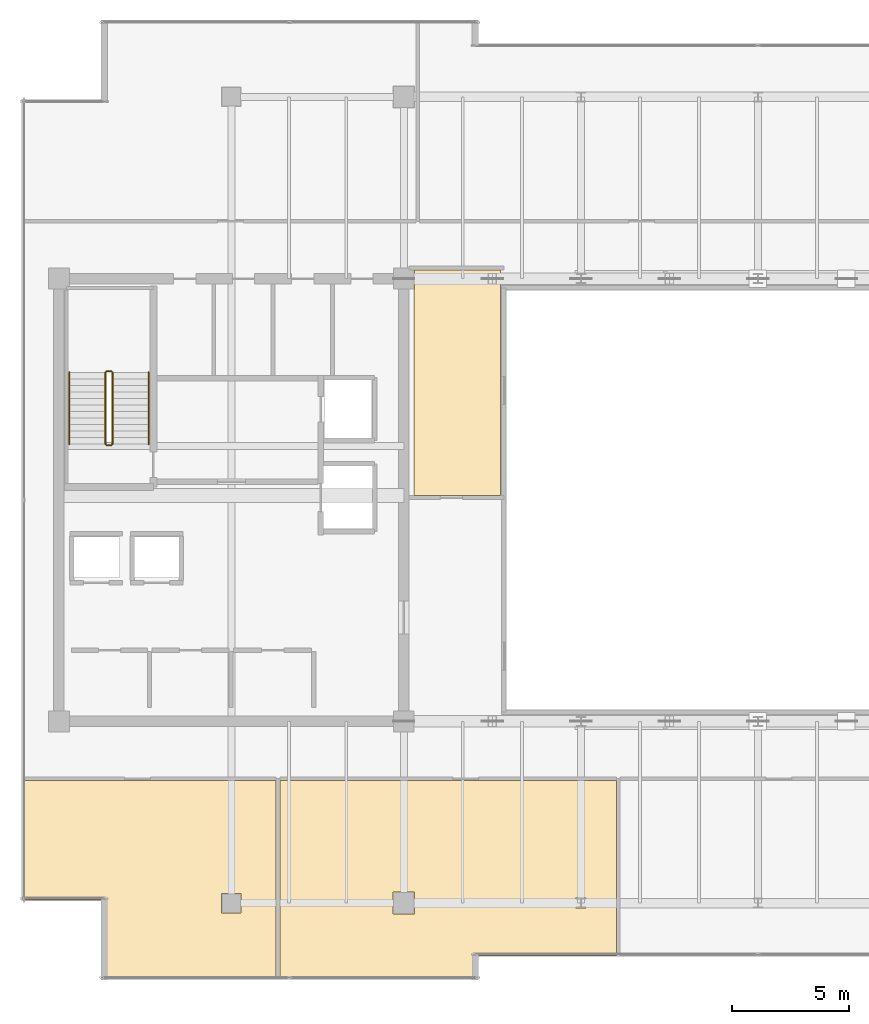
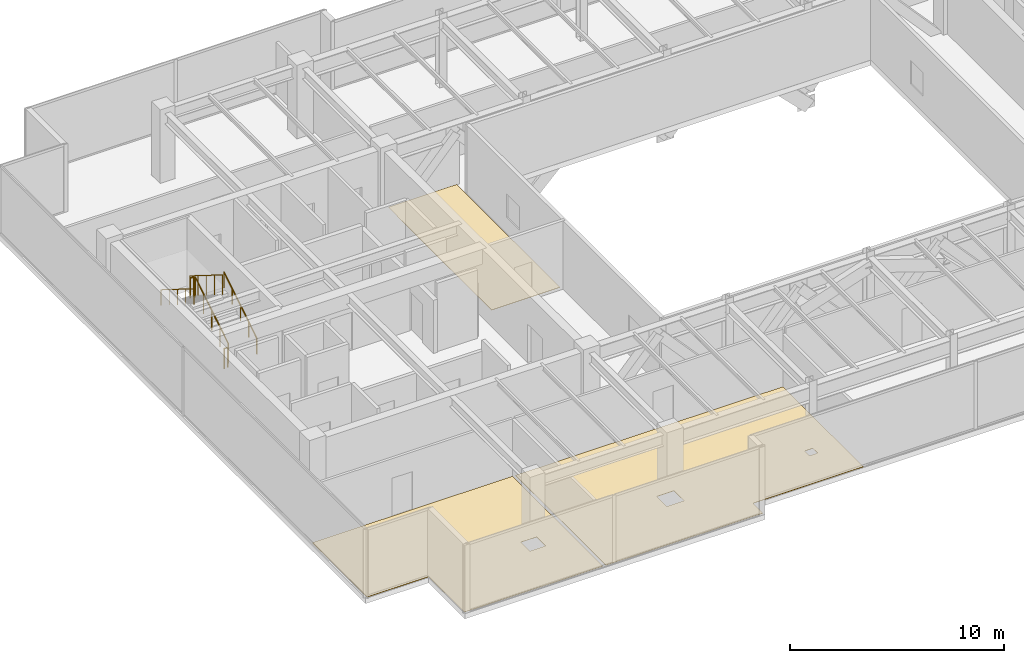
# One storey, part 29 of 32: 6 railings, 3 coverings.
"""IFC4 building model written with IfcOpenShell, lengths in metres."""

from ifc_helpers import new_model, si_unit, direction, frame, origin, origin_2d, place, context, subcontext, project, spatial, polyline, circle, outline, extrude, source, transform, mapped, material, layer, layer_set, type_object, type_shapes, element, save


model = new_model("IFC4")

# Units and contexts
model_context = context("Model", 3, precision=1e-05, world=origin(), true_north=direction((0.0, 1.0)))
body_context = subcontext(model_context, "Body", "Model", "MODEL_VIEW")
ifc_project = project(units=[si_unit("LENGTHUNIT", "METRE"), si_unit("AREAUNIT", "SQUARE_METRE"), si_unit("VOLUMEUNIT", "CUBIC_METRE"), si_unit("PLANEANGLEUNIT", "RADIAN"), si_unit("MASSUNIT", "GRAM", prefix="KILO")], contexts=[model_context])

# Site, building, storey
site_placement = place(None, origin())
site = spatial("IfcSite", under=ifc_project, at=site_placement, CompositionType="ELEMENT")
building_placement = place(site_placement, origin())
building = spatial("IfcBuilding", under=site, at=building_placement, Name="Haelvirn Gate Laboratories", CompositionType="ELEMENT")
storey_placement = place(building_placement, frame((0.0, 0.0, 314.39990234375)))
storey = spatial("IfcBuildingStorey", under=building, at=storey_placement, Name="L75", CompositionType="ELEMENT", Elevation=314.39990234375)

# Coverings
ifc_material_1 = material(Name="Seamless chemical-resistant epoxy laboratory flooring")
ifc_layer = layer(ifc_material_1, 0.01806640625, Name="COV-FLR-RESIN")
ifc_layer_set = layer_set([ifc_layer], Name="Seamless chemical-resistant epoxy laboratory flooring")
covering_type = type_object("IfcCoveringType", Name="COV-FLR-RESIN", PredefinedType="FLOORING", material=ifc_layer_set)
covering_1_placement = place(storey_placement, origin())
element("IfcCovering", 1, at=covering_1_placement, inside=storey, type_object=covering_type, Name="L75 Seamless Laboratory Flooring FLR-SP-L75-WATRIUM-POD", PredefinedType="FLOORING", context=body_context, shape_type="SweptSolid", body=[
    extrude(outline(polyline([(22.669921875, 33.330078125), (22.669921875, 34.179931640625), (26.35009765625, 34.179931640625), (26.35009765625, 24.5), (22.64990234375, 24.5), (22.64990234375, 33.330078125), (22.669921875, 33.330078125)])), origin(), (0.0, 0.0, 1.0), 0.01806640625),
])
covering_2_placement = place(storey_placement, origin())
element("IfcCovering", 2, at=covering_2_placement, inside=storey, type_object=covering_type, Name="L75 Seamless Laboratory Flooring FLR-SP-L75-S-01", PredefinedType="FLOORING", context=body_context, shape_type="SweptSolid", body=[
    extrude(outline(polyline([(16.719970703125, 3.81005859375), (9.239990234375, 3.81005859375), (9.239990234375, 7.10009765625), (9.23974609375, 7.10400390625), (9.2392578125, 7.10791015625), (9.23828125, 7.111572265625), (9.237060546875, 7.115234375), (9.2353515625, 7.118896484375), (9.2333984375, 7.122314453125), (9.23095703125, 7.12548828125), (9.228271484375, 7.12841796875), (9.225341796875, 7.130859375), (9.22216796875, 7.13330078125), (9.218994140625, 7.13525390625), (9.21533203125, 7.136962890625), (9.211669921875, 7.13818359375), (9.207763671875, 7.13916015625), (9.203857421875, 7.139892578125), (9.199951171875, 7.139892578125), (5.909912109375, 7.139892578125), (5.909912109375, 12.27001953125), (16.719970703125, 12.27001953125), (16.719970703125, 3.81005859375)]), holes=[polyline([(14.3798828125, 7.419921875), (14.3798828125, 6.580078125), (15.219970703125, 6.580078125), (15.219970703125, 7.419921875), (14.3798828125, 7.419921875)])]), origin(), (0.0, 0.0, 1.0), 0.01806640625),
])
covering_3_placement = place(storey_placement, origin())
element("IfcCovering", 3, at=covering_3_placement, inside=storey, type_object=covering_type, Name="L75 Seamless Laboratory Flooring FLR-SP-L75-S-02", PredefinedType="FLOORING", context=body_context, shape_type="SweptSolid", body=[
    extrude(outline(polyline([(31.320068359375, 4.739990234375), (25.39990234375, 4.739990234375), (25.39599609375, 4.73974609375), (25.39208984375, 4.7392578125), (25.388427734375, 4.73828125), (25.384765625, 4.737060546875), (25.381103515625, 4.7353515625), (25.377685546875, 4.7333984375), (25.37451171875, 4.73095703125), (25.37158203125, 4.728271484375), (25.369140625, 4.725341796875), (25.36669921875, 4.72216796875), (25.36474609375, 4.718994140625), (25.363037109375, 4.71533203125), (25.36181640625, 4.711669921875), (25.36083984375, 4.707763671875), (25.360107421875, 4.703857421875), (25.360107421875, 4.699951171875), (25.360107421875, 3.81005859375), (16.8798828125, 3.81005859375), (16.8798828125, 12.27001953125), (31.320068359375, 12.27001953125), (31.320068359375, 4.739990234375)]), holes=[polyline([(21.72998046875, 6.530029296875), (22.669921875, 6.530029296875), (22.669921875, 7.469970703125), (21.72998046875, 7.469970703125), (21.72998046875, 6.530029296875)]), polyline([(29.580078125, 7.219970703125), (29.580078125, 6.780029296875), (30.02001953125, 6.780029296875), (30.02001953125, 7.219970703125), (29.580078125, 7.219970703125)])]), origin(), (0.0, 0.0, 1.0), 0.01806640625),
])

# Railings
ifc_material_2 = material(Name="Galvanised steel SM355 & stainless top rail", Category="steel")
railing_type_1 = type_object("IfcRailingType", Name="RL-GUARD-1150", PredefinedType="GUARDRAIL", material=ifc_material_2)
shared_shape_1 = source(origin(), body_context, "Body", "SweptSolid", [
    extrude(circle(Radius=0.02392578125, at=origin_2d()), frame((0.0, 0.0, 1.1259765625), z_axis=(-1.0, 0.0, 0.0), x_axis=(0.0, -1.0, 0.0)), (0.0, 0.0, 1.0), 0.199951171875),
    extrude(circle(Radius=0.02099609375, at=origin_2d()), origin(), (0.0, 0.0, 1.0), 1.101806640625),
    extrude(circle(Radius=0.02099609375, at=origin_2d()), frame((-0.199951171875, 0.0, 0.0)), (0.0, 0.0, 1.0), 1.101806640625),
])
for number, where, name in (
    (4, (9.64990234375, 29.830078125, 2.10009765625), "L75 ST1 stair guard 2"),
    (5, (9.64990234375, 26.64990234375, 0.0), "L75 ST1 stair guard 4"),
):
    element("IfcRailing", number, at=place(storey_placement, frame(where)), inside=storey, type_object=railing_type_1, Name=name, PredefinedType="GUARDRAIL", context=body_context, shape_type="MappedRepresentation", body=[
        mapped(shared_shape_1, transform((0.0, 0.0, 0.0), scale=1.0)),
    ])
shared_shape_2 = source(origin(), body_context, "Body", "SweptSolid", [
    extrude(circle(Radius=0.02392578125, at=origin_2d()), frame((0.0, 0.0, 1.1259765625), z_axis=(0.0, 0.847998304005, 0.529998940003), x_axis=(-1.0, 0.0, 0.0)), (0.0, 0.0, 1.0), 3.632080078125),
    extrude(circle(Radius=0.02099609375, at=origin_2d()), origin(), (0.0, 0.0, 1.0), 1.101806640625),
    extrude(circle(Radius=0.02099609375, at=origin_2d()), frame((0.0, 0.77001953125, 0.481201171875)), (0.0, 0.0, 1.0), 1.101806640625),
    extrude(circle(Radius=0.02099609375, at=origin_2d()), frame((0.0, 1.5400390625, 0.96240234375)), (0.0, 0.0, 1.0), 1.101806640625),
    extrude(circle(Radius=0.02099609375, at=origin_2d()), frame((0.0, 2.31005859375, 1.44384765625)), (0.0, 0.0, 1.0), 1.101806640625),
    extrude(circle(Radius=0.02099609375, at=origin_2d()), frame((0.0, 3.080078125, 1.925048828125)), (0.0, 0.0, 1.0), 1.101806640625),
])
railing_1_placement = place(storey_placement, frame((9.699951171875, 26.699951171875, 0.175048828125)))
element("IfcRailing", 6, at=railing_1_placement, inside=storey, type_object=railing_type_1, Name="L75 ST1 stair guard 1", PredefinedType="GUARDRAIL", context=body_context, shape_type="MappedRepresentation", body=[
    mapped(shared_shape_2, transform((0.0, 0.0, 0.0), scale=1.0)),
])
shared_shape_3 = source(origin(), body_context, "Body", "SweptSolid", [
    extrude(circle(Radius=0.02392578125, at=origin_2d()), frame((0.0, 0.0, 1.1259765625), z_axis=(0.0, -0.847998304005, 0.529998940003), x_axis=(1.0, 0.0, 0.0)), (0.0, 0.0, 1.0), 3.632080078125),
    extrude(circle(Radius=0.02099609375, at=origin_2d()), origin(), (0.0, 0.0, 1.0), 1.101806640625),
    extrude(circle(Radius=0.02099609375, at=origin_2d()), frame((0.0, -0.77001953125, 0.481201171875)), (0.0, 0.0, 1.0), 1.101806640625),
    extrude(circle(Radius=0.02099609375, at=origin_2d()), frame((0.0, -1.5400390625, 0.96240234375)), (0.0, 0.0, 1.0), 1.101806640625),
    extrude(circle(Radius=0.02099609375, at=origin_2d()), frame((0.0, -2.31005859375, 1.44384765625)), (0.0, 0.0, 1.0), 1.101806640625),
    extrude(circle(Radius=0.02099609375, at=origin_2d()), frame((0.0, -3.080078125, 1.925048828125)), (0.0, 0.0, 1.0), 1.101806640625),
])
type_shapes(railing_type_1, [shared_shape_1, shared_shape_2, shared_shape_3])
railing_2_placement = place(storey_placement, frame((9.39990234375, 29.780029296875, 2.275146484375)))
element("IfcRailing", 7, at=railing_2_placement, inside=storey, type_object=railing_type_1, Name="L75 ST1 stair guard 3", PredefinedType="GUARDRAIL", context=body_context, shape_type="MappedRepresentation", body=[
    mapped(shared_shape_3, transform((0.0, 0.0, 0.0), scale=1.0)),
])
ifc_material_3 = material(Name="Brushed stainless steel 316L", Category="steel")
railing_type_2 = type_object("IfcRailingType", Name="RL-HAND-920", PredefinedType="HANDRAIL", material=ifc_material_3)
shared_shape_4 = source(origin(), body_context, "Body", "SweptSolid", [
    extrude(circle(Radius=0.02392578125, at=origin_2d()), frame((0.0, 0.0, 0.8759765625), z_axis=(0.0, 0.847998304005, 0.529998940003), x_axis=(-1.0, 0.0, 0.0)), (0.0, 0.0, 1.0), 3.632080078125),
    extrude(circle(Radius=0.02099609375, at=origin_2d()), origin(), (0.0, 0.0, 1.0), 0.851806640625),
    extrude(circle(Radius=0.02099609375, at=origin_2d()), frame((0.0, 0.77001953125, 0.481201171875)), (0.0, 0.0, 1.0), 0.851806640625),
    extrude(circle(Radius=0.02099609375, at=origin_2d()), frame((0.0, 1.5400390625, 0.96240234375)), (0.0, 0.0, 1.0), 0.851806640625),
    extrude(circle(Radius=0.02099609375, at=origin_2d()), frame((0.0, 2.31005859375, 1.44384765625)), (0.0, 0.0, 1.0), 0.851806640625),
    extrude(circle(Radius=0.02099609375, at=origin_2d()), frame((0.0, 3.080078125, 1.925048828125)), (0.0, 0.0, 1.0), 0.851806640625),
])
railing_3_placement = place(storey_placement, frame((11.25, 26.699951171875, 0.175048828125)))
element("IfcRailing", 8, at=railing_3_placement, inside=storey, type_object=railing_type_2, Name="L75 ST1 stair handrail 1", PredefinedType="HANDRAIL", context=body_context, shape_type="MappedRepresentation", body=[
    mapped(shared_shape_4, transform((0.0, 0.0, 0.0), scale=1.0)),
])
shared_shape_5 = source(origin(), body_context, "Body", "SweptSolid", [
    extrude(circle(Radius=0.02392578125, at=origin_2d()), frame((0.0, 0.0, 0.8759765625), z_axis=(0.0, -0.847998304005, 0.529998940003), x_axis=(1.0, 0.0, 0.0)), (0.0, 0.0, 1.0), 3.632080078125),
    extrude(circle(Radius=0.02099609375, at=origin_2d()), origin(), (0.0, 0.0, 1.0), 0.851806640625),
    extrude(circle(Radius=0.02099609375, at=origin_2d()), frame((0.0, -0.77001953125, 0.481201171875)), (0.0, 0.0, 1.0), 0.851806640625),
    extrude(circle(Radius=0.02099609375, at=origin_2d()), frame((0.0, -1.5400390625, 0.96240234375)), (0.0, 0.0, 1.0), 0.851806640625),
    extrude(circle(Radius=0.02099609375, at=origin_2d()), frame((0.0, -2.31005859375, 1.44384765625)), (0.0, 0.0, 1.0), 0.851806640625),
    extrude(circle(Radius=0.02099609375, at=origin_2d()), frame((0.0, -3.080078125, 1.925048828125)), (0.0, 0.0, 1.0), 0.851806640625),
])
type_shapes(railing_type_2, [shared_shape_4, shared_shape_5])
railing_4_placement = place(storey_placement, frame((7.85009765625, 29.780029296875, 2.275146484375)))
element("IfcRailing", 9, at=railing_4_placement, inside=storey, type_object=railing_type_2, Name="L75 ST1 stair handrail 2", PredefinedType="HANDRAIL", context=body_context, shape_type="MappedRepresentation", body=[
    mapped(shared_shape_5, transform((0.0, 0.0, 0.0), scale=1.0)),
])

save(model, "model.ifc")
